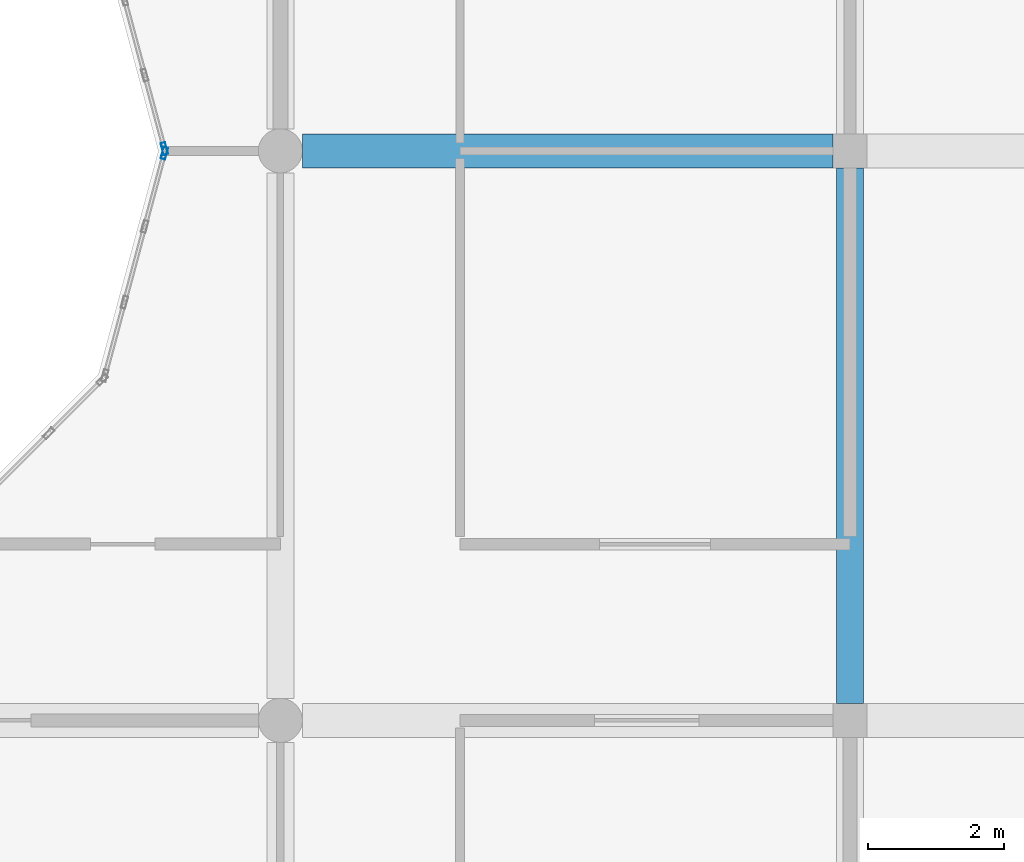
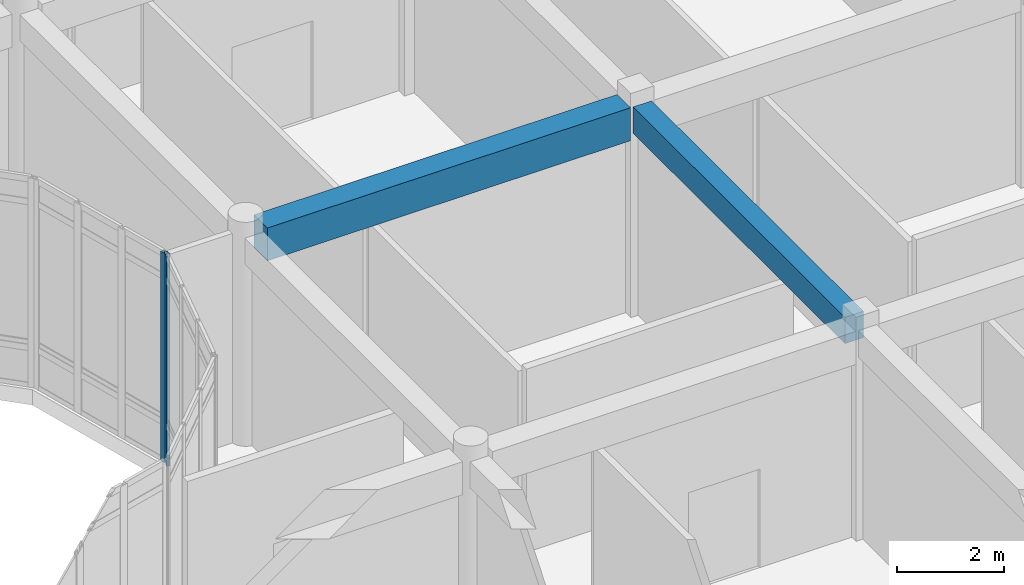
# One storey, part 37 of 134: 2 beams, 2 members, 2 elements without a shape of their own.
"""IFC4 building model written with IfcOpenShell, lengths in metres."""

from ifc_helpers import new_model, si_unit, direction, frame, origin, origin_2d, place, context, subcontext, project, spatial, rectangle, hollow_rectangle, extrude, material, layer, layer_set, material_profile, profile_set, type_object, element, aggregate, save


model = new_model("IFC4")

# Units and contexts
model_context = context("Model", 3, precision=1e-05, world=origin(), true_north=direction((0.0, 1.0)))
body_context = subcontext(model_context, "Body", "Model", "MODEL_VIEW")
ifc_project = project(units=[si_unit("LENGTHUNIT", "METRE"), si_unit("AREAUNIT", "SQUARE_METRE"), si_unit("VOLUMEUNIT", "CUBIC_METRE"), si_unit("PLANEANGLEUNIT", "RADIAN"), si_unit("MASSUNIT", "GRAM", prefix="KILO")], contexts=[model_context])

# Site, building, storey
site_placement = place(None, origin())
site = spatial("IfcSite", under=ifc_project, at=site_placement, CompositionType="ELEMENT")
building_placement = place(site_placement, origin())
building = spatial("IfcBuilding", under=site, at=building_placement, Name="Bramfleet General Hospital", CompositionType="ELEMENT")
storey_placement = place(building_placement, frame((0.0, 0.0, 9.300048828125)))
storey = spatial("IfcBuildingStorey", under=building, at=storey_placement, Name="L02", CompositionType="ELEMENT", Elevation=9.300048828125)

# Beams
ifc_material_1 = material(Name="Concrete C35/45", Category="concrete")
ifc_material_profile_1 = material_profile(ifc_material_1, rectangle(XDim=0.39990234375, YDim=0.60009765625, at=origin_2d()), Name="RC BM 600x400")
ifc_profile_set_1 = profile_set([ifc_material_profile_1], Name="Concrete C35/45")
beam_type_1 = type_object("IfcBeamType", Name="BM-RC600", PredefinedType="BEAM", material=ifc_profile_set_1)
beam_1_placement = place(storey_placement, frame((42.0, 75.85009765625, 4.47998046875), z_axis=(0.0, 1.0, 0.0), x_axis=(-1.0, 0.0, 0.0)))
element("IfcBeam", 1, at=beam_1_placement, inside=storey, type_object=beam_type_1, Name="L02 Grid Beam Y 05-09", PredefinedType="BEAM", context=body_context, shape_type="SweptSolid", body=[
    extrude(rectangle(XDim=0.39990234375, YDim=0.60009765625, at=origin_2d()), origin(), (0.0, 0.0, 1.0), 7.89990234375),
])
ifc_material_profile_2 = material_profile(ifc_material_1, rectangle(XDim=0.5, YDim=0.75, at=origin_2d()), Name="RC BM 750x500")
ifc_profile_set_2 = profile_set([ifc_material_profile_2], Name="Concrete C35/45")
beam_type_2 = type_object("IfcBeamType", Name="BM-RC750", PredefinedType="BEAM", material=ifc_profile_set_2)
beam_2_placement = place(storey_placement, frame((33.925048828125, 84.0, 4.405029296875), z_axis=(1.0, 0.0, 0.0), x_axis=(0.0, 1.0, 0.0)))
element("IfcBeam", 2, at=beam_2_placement, inside=storey, type_object=beam_type_2, Name="L02 Grid Beam X 04-10", PredefinedType="BEAM", context=body_context, shape_type="SweptSolid", body=[
    extrude(rectangle(XDim=0.5, YDim=0.75, at=origin_2d()), origin(), (0.0, 0.0, 1.0), 7.824951171875),
])

# Curtain wall, member
ifc_material_2 = material(Name="Anodised aluminium and low-E triple glazing", Category="aluminium")
ifc_layer_1 = layer(ifc_material_2, 0.179931640625, Name="CWT-CW-18")
ifc_layer_set_1 = layer_set([ifc_layer_1], Name="Anodised aluminium and low-E triple glazing")
curtain_wall_type_1 = type_object("IfcCurtainWallType", Name="CWT-CW-18", PredefinedType="USERDEFINED", material=ifc_layer_set_1)
curtain_wall_1_placement = place(storey_placement, origin())
curtain_wall_1 = element("IfcCurtainWall", 3, at=curtain_wall_1_placement, inside=storey, type_object=curtain_wall_type_1, Name="L02 West Clinical Light Court Curtain Wall 6.1", ObjectType="Stick curtain wall", PredefinedType="USERDEFINED")
ifc_material_3 = material(Name="Anodised aluminium EN AW-6060", Category="aluminium")
ifc_material_profile_3 = material_profile(ifc_material_3, hollow_rectangle(XDim=0.070068359375, YDim=0.179931640625, WallThickness=0.00390625, at=origin_2d()), Name="ALU 180x70x4.0")
ifc_profile_set_3 = profile_set([ifc_material_profile_3], Name="Anodised aluminium EN AW-6060")
member_type = type_object("IfcMemberType", Name="CWM-ALU180", PredefinedType="MULLION", material=ifc_profile_set_3)
member_1_placement = place(storey_placement, frame((31.890869140625, 83.96630859375, 0.0), z_axis=(0.0, 0.0, 1.0), x_axis=(-0.965899136003, 0.25891863407, 0.0)))
member_1 = element("IfcMember", 4, at=member_1_placement, type_object=member_type, Name="CW-18 mullion 4", PredefinedType="MULLION", context=body_context, shape_type="SweptSolid", body=[
    extrude(hollow_rectangle(XDim=0.070068359375, YDim=0.179931640625, WallThickness=0.00390625, at=origin_2d()), origin(), (0.0, 0.0, 1.0), 4.77001953125),
])
aggregate(curtain_wall_1, [member_1])

ifc_layer_2 = layer(ifc_material_2, 0.179931640625, Name="CWT-CW-11")
ifc_layer_set_2 = layer_set([ifc_layer_2], Name="Anodised aluminium and low-E triple glazing")
curtain_wall_type_2 = type_object("IfcCurtainWallType", Name="CWT-CW-11", PredefinedType="USERDEFINED", material=ifc_layer_set_2)
curtain_wall_2_placement = place(storey_placement, origin())
curtain_wall_2 = element("IfcCurtainWall", 5, at=curtain_wall_2_placement, inside=storey, type_object=curtain_wall_type_2, Name="L02 West Clinical Light Court Curtain Wall 7.1", ObjectType="Stick curtain wall", PredefinedType="USERDEFINED")
member_2_placement = place(storey_placement, frame((31.890869140625, 84.03369140625, 0.0), z_axis=(0.0, 0.0, 1.0), x_axis=(-0.965899136003, -0.25891863407, 0.0)))
member_2 = element("IfcMember", 6, at=member_2_placement, type_object=member_type, Name="CW-11 mullion 1", PredefinedType="MULLION", context=body_context, shape_type="SweptSolid", body=[
    extrude(hollow_rectangle(XDim=0.070068359375, YDim=0.179931640625, WallThickness=0.00390625, at=origin_2d()), origin(), (0.0, 0.0, 1.0), 4.77001953125),
])
aggregate(curtain_wall_2, [member_2])

save(model, "model.ifc")
